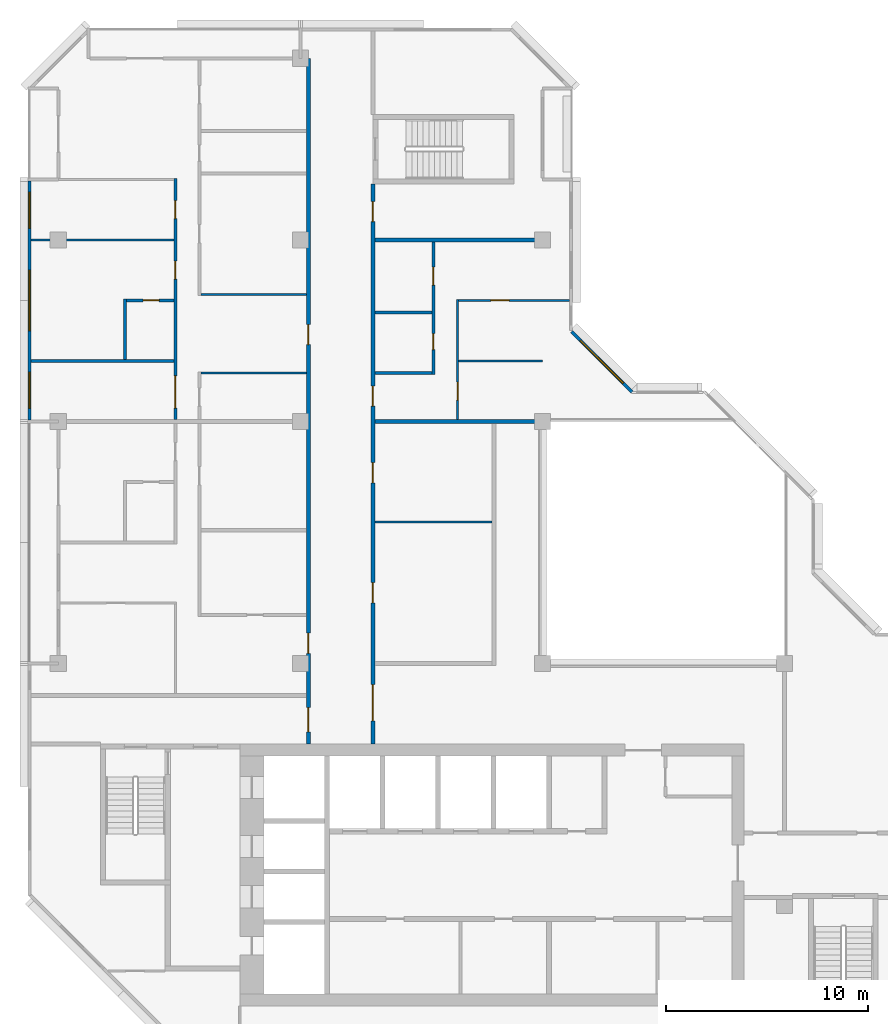
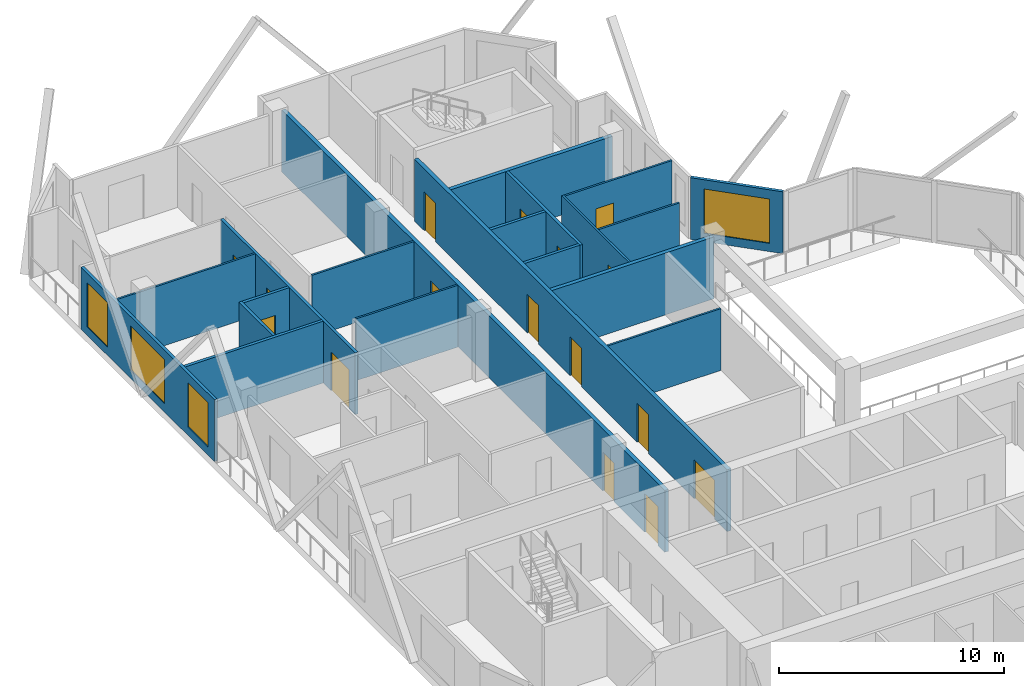
# One storey, part 9 of 13: 20 walls, 16 doors, 4 windows, 20 openings.
"""IFC4 building model written with IfcOpenShell, lengths in metres."""

from ifc_helpers import new_model, si_unit, direction, frame, frame_2d, origin, place, context, subcontext, project, spatial, rectangle, extrude, material, layer, layer_set, type_object, element, fill, save


model = new_model("IFC4")

# Units and contexts
model_context = context("Model", 3, precision=1e-05, world=origin(), true_north=direction((0.0, 1.0)))
body_context = subcontext(model_context, "Body", "Model", "MODEL_VIEW")
ifc_project = project(units=[si_unit("LENGTHUNIT", "METRE"), si_unit("AREAUNIT", "SQUARE_METRE"), si_unit("VOLUMEUNIT", "CUBIC_METRE"), si_unit("PLANEANGLEUNIT", "RADIAN"), si_unit("MASSUNIT", "GRAM", prefix="KILO")], contexts=[model_context])

# Site, building, storey
site_placement = place(None, origin())
site = spatial("IfcSite", under=ifc_project, at=site_placement, CompositionType="ELEMENT")
building_placement = place(site_placement, origin())
building = spatial("IfcBuilding", under=site, at=building_placement, Name="Chenar Terraces", CompositionType="ELEMENT")
storey_placement = place(building_placement, frame((0.0, 0.0, 303.39990234375)))
storey = spatial("IfcBuildingStorey", under=building, at=storey_placement, Name="L71", CompositionType="ELEMENT", Elevation=303.39990234375)

# Wall, openings, doors
ifc_material_1 = material(Name="Gypsum board on steel studs with fire boards", Category="steel")
ifc_layer_1 = layer(ifc_material_1, 0.199951171875)
ifc_layer_set_1 = layer_set([ifc_layer_1], Name="Gypsum board on steel studs with fire boards")
wall_type_1 = type_object("IfcWallType", Name="Corridor wall 200", PredefinedType="PARTITIONING", material=ifc_layer_set_1)
wall_1_placement = place(storey_placement, frame((12.39990234375, 20.0, 0.0), z_axis=(0.0, 0.0, 1.0), x_axis=(0.0, 1.0, 0.0)))
wall_1 = element("IfcWall", 1, at=wall_1_placement, inside=storey, type_object=wall_type_1, Name="Partition L71-031", PredefinedType="PARTITIONING", context=body_context, shape_type="SweptSolid", body=[
    extrude(rectangle(XDim=34.0, YDim=0.199951171875, at=frame_2d((17.0, 0.0))), origin(), (0.0, 0.0, 1.0), 3.35009765625),
])
opening_1_placement = place(wall_1_placement, frame((19.800048828125, 0.0, 0.0)))
opening_1 = element("IfcOpeningElement", 2, at=opening_1_placement, cuts=wall_1, Name="Opening DL71-25", PredefinedType="OPENING", context=body_context, shape_type="SweptSolid", body=[
    extrude(rectangle(XDim=1.0, YDim=2.10009765625, at=frame_2d((0.5, 1.050048828125))), frame((0.0, 0.10986328125, 0.0), z_axis=(0.0, -1.0, 0.0), x_axis=(1.0, 0.0, 0.0)), (0.0, 0.0, 1.0), 0.219970703125),
])
opening_2_placement = place(wall_1_placement, frame((0.60009765625, 0.0, 0.0)))
opening_2 = element("IfcOpeningElement", 3, at=opening_2_placement, cuts=wall_1, Name="Opening DL71-31", PredefinedType="OPENING", context=body_context, shape_type="SweptSolid", body=[
    extrude(rectangle(XDim=1.199951171875, YDim=2.10009765625, at=frame_2d((0.60009765625, 1.050048828125))), frame((0.0, 0.10986328125, 0.0), z_axis=(0.0, -1.0, 0.0), x_axis=(1.0, 0.0, 0.0)), (0.0, 0.0, 1.0), 0.219970703125),
])
opening_3_placement = place(wall_1_placement, frame((4.5, 0.0, 0.0)))
opening_3 = element("IfcOpeningElement", 4, at=opening_3_placement, cuts=wall_1, Name="Opening DL71-52", PredefinedType="OPENING", context=body_context, shape_type="SweptSolid", body=[
    extrude(rectangle(XDim=1.0, YDim=2.10009765625, at=frame_2d((0.5, 1.050048828125))), frame((0.0, 0.10986328125, 0.0), z_axis=(0.0, -1.0, 0.0), x_axis=(1.0, 0.0, 0.0)), (0.0, 0.0, 1.0), 0.219970703125),
])
ifc_material_2 = material(Name="Steel-framed fire-resisting door leaf", Category="steel")
door_type_1 = type_object("IfcDoorType", Name="Fire door FD30S 1000 x 2100", OperationType="SINGLE_SWING_LEFT", PredefinedType="DOOR", material=ifc_material_2)
door_1_placement = place(opening_1_placement, origin())
door_1 = element("IfcDoor", 5, at=door_1_placement, inside=storey, type_object=door_type_1, Name="Door DL71-25", OperationType="SINGLE_SWING_LEFT", OverallHeight=2.10009765625, OverallWidth=1.0, PredefinedType="DOOR", context=body_context, shape_type="SweptSolid", body=[
    extrude(rectangle(XDim=1.0, YDim=2.10009765625, at=frame_2d((0.5, 1.050048828125))), frame((0.0, 0.02490234375, 0.0), z_axis=(0.0, -1.0, 0.0), x_axis=(1.0, 0.0, 0.0)), (0.0, 0.0, 1.0), 0.050048828125),
])
fill(opening_1, door_1)
door_2_placement = place(opening_3_placement, origin())
door_2 = element("IfcDoor", 6, at=door_2_placement, inside=storey, type_object=door_type_1, Name="Door DL71-52", OperationType="SINGLE_SWING_LEFT", OverallHeight=2.10009765625, OverallWidth=1.0, PredefinedType="DOOR", context=body_context, shape_type="SweptSolid", body=[
    extrude(rectangle(XDim=1.0, YDim=2.10009765625, at=frame_2d((0.5, 1.050048828125))), frame((0.0, 0.02490234375, 0.0), z_axis=(0.0, -1.0, 0.0), x_axis=(1.0, 0.0, 0.0)), (0.0, 0.0, 1.0), 0.050048828125),
])
fill(opening_3, door_2)
ifc_material_3 = material(Name="Steel-framed fire-resisting door leaf", Category="steel")
door_type_2 = type_object("IfcDoorType", Name="Fire door FD30S 1200 x 2100", OperationType="SINGLE_SWING_LEFT", PredefinedType="DOOR", material=ifc_material_3)
door_3_placement = place(opening_2_placement, origin())
door_3 = element("IfcDoor", 7, at=door_3_placement, inside=storey, type_object=door_type_2, Name="Door DL71-31", OperationType="SINGLE_SWING_RIGHT", OverallHeight=2.10009765625, OverallWidth=1.199951171875, PredefinedType="DOOR", context=body_context, shape_type="SweptSolid", body=[
    extrude(rectangle(XDim=1.199951171875, YDim=2.10009765625, at=frame_2d((0.60009765625, 1.050048828125))), frame((0.0, 0.02490234375, 0.0), z_axis=(0.0, -1.0, 0.0), x_axis=(1.0, 0.0, 0.0)), (0.0, 0.0, 1.0), 0.050048828125),
])
fill(opening_2, door_3)

wall_2_placement = place(storey_placement, frame((15.60009765625, 20.0, 0.0), z_axis=(0.0, 0.0, 1.0), x_axis=(0.0, 1.0, 0.0)))
wall_2 = element("IfcWall", 8, at=wall_2_placement, inside=storey, type_object=wall_type_1, Name="Partition L71-033", PredefinedType="PARTITIONING", context=body_context, shape_type="SweptSolid", body=[
    extrude(rectangle(XDim=27.77490234375, YDim=0.199951171875, at=frame_2d((13.887451171875, 0.0))), origin(), (0.0, 0.0, 1.0), 3.35009765625),
])
opening_4_placement = place(wall_2_placement, frame((7.0, 0.0, 0.0)))
opening_4 = element("IfcOpeningElement", 9, at=opening_4_placement, cuts=wall_2, Name="Opening DL71-1", PredefinedType="OPENING", context=body_context, shape_type="SweptSolid", body=[
    extrude(rectangle(XDim=1.0, YDim=2.10009765625, at=frame_2d((0.5, 1.050048828125))), frame((0.0, 0.10986328125, 0.0), z_axis=(0.0, -1.0, 0.0), x_axis=(1.0, 0.0, 0.0)), (0.0, 0.0, 1.0), 0.219970703125),
])
opening_5_placement = place(wall_2_placement, frame((12.949951171875, 0.0, 0.0)))
opening_5 = element("IfcOpeningElement", 10, at=opening_5_placement, cuts=wall_2, Name="Opening DL71-2", PredefinedType="OPENING", context=body_context, shape_type="SweptSolid", body=[
    extrude(rectangle(XDim=1.0, YDim=2.10009765625, at=frame_2d((0.5, 1.050048828125))), frame((0.0, 0.10986328125, 0.0), z_axis=(0.0, -1.0, 0.0), x_axis=(1.0, 0.0, 0.0)), (0.0, 0.0, 1.0), 0.219970703125),
])
opening_6_placement = place(wall_2_placement, frame((16.75, 0.0, 0.0)))
opening_6 = element("IfcOpeningElement", 11, at=opening_6_placement, cuts=wall_2, Name="Opening DL71-19", PredefinedType="OPENING", context=body_context, shape_type="SweptSolid", body=[
    extrude(rectangle(XDim=1.0, YDim=2.10009765625, at=frame_2d((0.5, 1.050048828125))), frame((0.0, 0.10986328125, 0.0), z_axis=(0.0, -1.0, 0.0), x_axis=(1.0, 0.0, 0.0)), (0.0, 0.0, 1.0), 0.219970703125),
])
opening_7_placement = place(wall_2_placement, frame((1.14990234375, 0.0, 0.0)))
opening_7 = element("IfcOpeningElement", 12, at=opening_7_placement, cuts=wall_2, Name="Opening DL71-30", PredefinedType="OPENING", context=body_context, shape_type="SweptSolid", body=[
    extrude(rectangle(XDim=1.800048828125, YDim=2.10009765625, at=frame_2d((0.89990234375, 1.050048828125))), frame((0.0, 0.10986328125, 0.0), z_axis=(0.0, -1.0, 0.0), x_axis=(1.0, 0.0, 0.0)), (0.0, 0.0, 1.0), 0.219970703125),
])
opening_8_placement = place(wall_2_placement, frame((25.89990234375, 0.0, 0.0)))
opening_8 = element("IfcOpeningElement", 13, at=opening_8_placement, cuts=wall_2, Name="Opening DL71-33", PredefinedType="OPENING", context=body_context, shape_type="SweptSolid", body=[
    extrude(rectangle(XDim=1.0, YDim=2.10009765625, at=frame_2d((0.5, 1.050048828125))), frame((0.0, 0.10986328125, 0.0), z_axis=(0.0, -1.0, 0.0), x_axis=(1.0, 0.0, 0.0)), (0.0, 0.0, 1.0), 0.219970703125),
])
ifc_material_4 = material(Name="Steel-framed fire-resisting door leaf", Category="steel")
door_type_3 = type_object("IfcDoorType", Name="Fire door FD60 1000 x 2100", OperationType="SINGLE_SWING_LEFT", PredefinedType="DOOR", material=ifc_material_4)
door_4_placement = place(opening_4_placement, frame((1.0, 0.0, 0.0), z_axis=(0.0, 0.0, 1.0), x_axis=(-1.0, 0.0, 0.0)))
door_4 = element("IfcDoor", 14, at=door_4_placement, inside=storey, type_object=door_type_3, Name="Door DL71-1", OperationType="SINGLE_SWING_LEFT", OverallHeight=2.10009765625, OverallWidth=1.0, PredefinedType="DOOR", context=body_context, shape_type="SweptSolid", body=[
    extrude(rectangle(XDim=1.0, YDim=2.10009765625, at=frame_2d((0.5, 1.050048828125))), frame((0.0, 0.02490234375, 0.0), z_axis=(0.0, -1.0, 0.0), x_axis=(1.0, 0.0, 0.0)), (0.0, 0.0, 1.0), 0.050048828125),
])
fill(opening_4, door_4)
door_5_placement = place(opening_5_placement, frame((1.0, 0.0, 0.0), z_axis=(0.0, 0.0, 1.0), x_axis=(-1.0, 0.0, 0.0)))
door_5 = element("IfcDoor", 15, at=door_5_placement, inside=storey, type_object=door_type_3, Name="Door DL71-2", OperationType="SINGLE_SWING_LEFT", OverallHeight=2.10009765625, OverallWidth=1.0, PredefinedType="DOOR", context=body_context, shape_type="SweptSolid", body=[
    extrude(rectangle(XDim=1.0, YDim=2.10009765625, at=frame_2d((0.5, 1.050048828125))), frame((0.0, 0.02490234375, 0.0), z_axis=(0.0, -1.0, 0.0), x_axis=(1.0, 0.0, 0.0)), (0.0, 0.0, 1.0), 0.050048828125),
])
fill(opening_5, door_5)
door_6_placement = place(opening_6_placement, frame((1.0, 0.0, 0.0), z_axis=(0.0, 0.0, 1.0), x_axis=(-1.0, 0.0, 0.0)))
door_6 = element("IfcDoor", 16, at=door_6_placement, inside=storey, type_object=door_type_3, Name="Door DL71-19", OperationType="SINGLE_SWING_LEFT", OverallHeight=2.10009765625, OverallWidth=1.0, PredefinedType="DOOR", context=body_context, shape_type="SweptSolid", body=[
    extrude(rectangle(XDim=1.0, YDim=2.10009765625, at=frame_2d((0.5, 1.050048828125))), frame((0.0, 0.02490234375, 0.0), z_axis=(0.0, -1.0, 0.0), x_axis=(1.0, 0.0, 0.0)), (0.0, 0.0, 1.0), 0.050048828125),
])
fill(opening_6, door_6)
door_7_placement = place(opening_8_placement, frame((1.0, 0.0, 0.0), z_axis=(0.0, 0.0, 1.0), x_axis=(-1.0, 0.0, 0.0)))
door_7 = element("IfcDoor", 17, at=door_7_placement, inside=storey, type_object=door_type_3, Name="Door DL71-33", OperationType="SINGLE_SWING_RIGHT", OverallHeight=2.10009765625, OverallWidth=1.0, PredefinedType="DOOR", context=body_context, shape_type="SweptSolid", body=[
    extrude(rectangle(XDim=1.0, YDim=2.10009765625, at=frame_2d((0.5, 1.050048828125))), frame((0.0, 0.02490234375, 0.0), z_axis=(0.0, -1.0, 0.0), x_axis=(1.0, 0.0, 0.0)), (0.0, 0.0, 1.0), 0.050048828125),
])
fill(opening_8, door_7)
ifc_material_5 = material(Name="Steel-framed fire-resisting door leaf", Category="steel")
door_type_4 = type_object("IfcDoorType", Name="Fire double door FD60 1800 x 2100", OperationType="DOUBLE_DOOR_SINGLE_SWING", PredefinedType="DOOR", material=ifc_material_5)
door_8_placement = place(opening_7_placement, frame((1.800048828125, 0.0, 0.0), z_axis=(0.0, 0.0, 1.0), x_axis=(-1.0, 0.0, 0.0)))
door_8 = element("IfcDoor", 18, at=door_8_placement, inside=storey, type_object=door_type_4, Name="Door DL71-30", OperationType="DOUBLE_DOOR_SINGLE_SWING", OverallHeight=2.10009765625, OverallWidth=1.800048828125, PredefinedType="DOOR", context=body_context, shape_type="SweptSolid", body=[
    extrude(rectangle(XDim=1.800048828125, YDim=2.10009765625, at=frame_2d((0.89990234375, 1.050048828125))), frame((0.0, 0.02490234375, 0.0), z_axis=(0.0, -1.0, 0.0), x_axis=(1.0, 0.0, 0.0)), (0.0, 0.0, 1.0), 0.050048828125),
])
fill(opening_7, door_8)

# Wall, openings, windows
ifc_material_6 = material(Name="Aluminium framed glazing", Category="aluminium")
ifc_layer_2 = layer(ifc_material_6, 0.14990234375)
ifc_layer_set_2 = layer_set([ifc_layer_2], Name="Aluminium framed glazing")
wall_type_2 = type_object("IfcWallType", Name="Glazed flush facade wall 150", PredefinedType="SOLIDWALL", material=ifc_layer_set_2)
wall_3_placement = place(storey_placement, frame((-1.425048828125, 47.925048828125, 0.0), z_axis=(0.0, 0.0, 1.0), x_axis=(0.0, -1.0, 0.0)))
wall_3 = element("IfcWall", 19, at=wall_3_placement, inside=storey, type_object=wall_type_2, Name="Glazed flush facade wall", PredefinedType="SOLIDWALL", context=body_context, shape_type="SweptSolid", body=[
    extrude(rectangle(XDim=11.85009765625, YDim=0.14990234375, at=frame_2d((5.925048828125, 0.0))), origin(), (0.0, 0.0, 1.0), 3.35009765625),
])
opening_9_placement = place(wall_3_placement, frame((0.5625, 0.0, 0.449951171875)))
opening_9 = element("IfcOpeningElement", 20, at=opening_9_placement, cuts=wall_3, Name="Opening W180x240", PredefinedType="OPENING", context=body_context, shape_type="SweptSolid", body=[
    extrude(rectangle(XDim=1.800048828125, YDim=2.39990234375, at=frame_2d((0.89990234375, 1.199951171875))), frame((0.0, 0.0849609375, 0.0), z_axis=(0.0, -1.0, 0.0), x_axis=(1.0, 0.0, 0.0)), (0.0, 0.0, 1.0), 0.169921875),
])
opening_10_placement = place(wall_3_placement, frame((4.425048828125, 0.0, 0.449951171875)))
opening_10 = element("IfcOpeningElement", 21, at=opening_10_placement, cuts=wall_3, Name="Opening W300x240", PredefinedType="OPENING", context=body_context, shape_type="SweptSolid", body=[
    extrude(rectangle(XDim=3.0, YDim=2.39990234375, at=frame_2d((1.5, 1.199951171875))), frame((0.0, 0.0849609375, 0.0), z_axis=(0.0, -1.0, 0.0), x_axis=(1.0, 0.0, 0.0)), (0.0, 0.0, 1.0), 0.169921875),
])
opening_11_placement = place(wall_3_placement, frame((9.487548828125, 0.0, 0.449951171875)))
opening_11 = element("IfcOpeningElement", 22, at=opening_11_placement, cuts=wall_3, Name="Opening W180x240", PredefinedType="OPENING", context=body_context, shape_type="SweptSolid", body=[
    extrude(rectangle(XDim=1.800048828125, YDim=2.39990234375, at=frame_2d((0.89990234375, 1.199951171875))), frame((0.0, 0.0849609375, 0.0), z_axis=(0.0, -1.0, 0.0), x_axis=(1.0, 0.0, 0.0)), (0.0, 0.0, 1.0), 0.169921875),
])
ifc_material_7 = material(Name="Low emissivity double glazing, aluminium frame", Category="aluminium")
window_type_1 = type_object("IfcWindowType", Name="Fixed light 1800 x 2400", PartitioningType="SINGLE_PANEL", PredefinedType="WINDOW", material=ifc_material_7)
window_1_placement = place(opening_9_placement, origin())
window_1 = element("IfcWindow", 23, at=window_1_placement, inside=storey, type_object=window_type_1, Name="Window", OverallHeight=2.39990234375, OverallWidth=1.800048828125, PartitioningType="SINGLE_PANEL", PredefinedType="WINDOW", context=body_context, shape_type="SweptSolid", body=[
    extrude(rectangle(XDim=1.800048828125, YDim=2.39990234375, at=frame_2d((0.89990234375, 1.199951171875))), frame((0.0, 0.030029296875, 0.0), z_axis=(0.0, -1.0, 0.0), x_axis=(1.0, 0.0, 0.0)), (0.0, 0.0, 1.0), 0.06005859375),
])
fill(opening_9, window_1)
window_2_placement = place(opening_11_placement, origin())
window_2 = element("IfcWindow", 24, at=window_2_placement, inside=storey, type_object=window_type_1, Name="Window", OverallHeight=2.39990234375, OverallWidth=1.800048828125, PartitioningType="SINGLE_PANEL", PredefinedType="WINDOW", context=body_context, shape_type="SweptSolid", body=[
    extrude(rectangle(XDim=1.800048828125, YDim=2.39990234375, at=frame_2d((0.89990234375, 1.199951171875))), frame((0.0, 0.030029296875, 0.0), z_axis=(0.0, -1.0, 0.0), x_axis=(1.0, 0.0, 0.0)), (0.0, 0.0, 1.0), 0.06005859375),
])
fill(opening_11, window_2)
ifc_material_8 = material(Name="Low emissivity double glazing, aluminium frame", Category="aluminium")
window_type_2 = type_object("IfcWindowType", Name="Fixed light 3000 x 2400", PartitioningType="SINGLE_PANEL", PredefinedType="WINDOW", material=ifc_material_8)
window_3_placement = place(opening_10_placement, origin())
window_3 = element("IfcWindow", 25, at=window_3_placement, inside=storey, type_object=window_type_2, Name="Window", OverallHeight=2.39990234375, OverallWidth=3.0, PartitioningType="SINGLE_PANEL", PredefinedType="WINDOW", context=body_context, shape_type="SweptSolid", body=[
    extrude(rectangle(XDim=3.0, YDim=2.39990234375, at=frame_2d((1.5, 1.199951171875))), frame((0.0, 0.030029296875, 0.0), z_axis=(0.0, -1.0, 0.0), x_axis=(1.0, 0.0, 0.0)), (0.0, 0.0, 1.0), 0.06005859375),
])
fill(opening_10, window_3)

# Walls
ifc_material_9 = material(Name="Gypsum board on steel studs", Category="steel")
ifc_layer_3 = layer(ifc_material_9, 0.10009765625)
ifc_layer_set_3 = layer_set([ifc_layer_3], Name="Gypsum board on steel studs")
wall_type_3 = type_object("IfcWallType", Name="Gypsum partition 100", PredefinedType="PARTITIONING", material=ifc_layer_set_3)
wall_4_placement = place(storey_placement, frame((-1.35107421875, 45.0, 0.0), z_axis=(0.0, 0.0, 1.0), x_axis=(1.0, 0.0, 0.0)))
element("IfcWall", 26, at=wall_4_placement, inside=storey, type_object=wall_type_3, Name="Partition L71-002", PredefinedType="PARTITIONING", context=body_context, shape_type="SweptSolid", body=[
    extrude(rectangle(XDim=7.076171875, YDim=0.10009765625, at=frame_2d((3.5380859375, 0.0))), origin(), (0.0, 0.0, 1.0), 3.35009765625),
])
for number, where, z_axis, x_axis, name in (
    (27, (7.074951171875, 38.39990234375, 0.0), (0.0, 0.0, 1.0), (1.0, 0.0, 0.0), "Partition L71-022"),
    (28, (7.074951171875, 42.300048828125, 0.0), (0.0, 0.0, 1.0), (1.0, 0.0, 0.0), "Partition L71-023"),
):
    element("IfcWall", number, at=place(storey_placement, frame(where, z_axis=z_axis, x_axis=x_axis)), inside=storey, type_object=wall_type_3, Name=name, PredefinedType="PARTITIONING", context=body_context, shape_type="SweptSolid", body=[
        extrude(rectangle(XDim=5.22509765625, YDim=0.10009765625, at=frame_2d((2.612548828125, 0.0))), origin(), (0.0, 0.0, 1.0), 3.35009765625),
    ])
wall_5_placement = place(storey_placement, frame((15.699951171875, 31.0, 0.0), z_axis=(0.0, 0.0, 1.0), x_axis=(1.0, 0.0, 0.0)))
element("IfcWall", 29, at=wall_5_placement, inside=storey, type_object=wall_type_3, Name="Partition L71-036", PredefinedType="PARTITIONING", context=body_context, shape_type="SweptSolid", body=[
    extrude(rectangle(XDim=5.800048828125, YDim=0.10009765625, at=frame_2d((2.89990234375, 0.0))), origin(), (0.0, 0.0, 1.0), 3.35009765625),
])

# Wall, opening, door
wall_6_placement = place(storey_placement, frame((19.800048828125, 36.10009765625, 0.0), z_axis=(0.0, 0.0, 1.0), x_axis=(0.0, 1.0, 0.0)))
wall_6 = element("IfcWall", 30, at=wall_6_placement, inside=storey, type_object=wall_type_3, Name="Partition L71-043", PredefinedType="PARTITIONING", context=body_context, shape_type="SweptSolid", body=[
    extrude(rectangle(XDim=5.949951171875, YDim=0.10009765625, at=frame_2d((2.97509765625, 0.0))), origin(), (0.0, 0.0, 1.0), 3.35009765625),
])
opening_12_placement = place(wall_6_placement, frame((0.949951171875, 0.0, 0.0)))
opening_12 = element("IfcOpeningElement", 31, at=opening_12_placement, cuts=wall_6, Name="Opening DL71-16", PredefinedType="OPENING", context=body_context, shape_type="SweptSolid", body=[
    extrude(rectangle(XDim=0.89990234375, YDim=2.10009765625, at=frame_2d((0.449951171875, 1.050048828125))), frame((0.0, 0.06005859375, 0.0), z_axis=(0.0, -1.0, 0.0), x_axis=(1.0, 0.0, 0.0)), (0.0, 0.0, 1.0), 0.1201171875),
])
ifc_material_10 = material(Name="Veneered timber door leaf", Category="wood")
door_type_5 = type_object("IfcDoorType", Name="Door 900 x 2100", OperationType="SINGLE_SWING_LEFT", PredefinedType="DOOR", material=ifc_material_10)
door_9_placement = place(opening_12_placement, frame((0.89990234375, 0.0, 0.0), z_axis=(0.0, 0.0, 1.0), x_axis=(-1.0, 0.0, 0.0)))
door_9 = element("IfcDoor", 32, at=door_9_placement, inside=storey, type_object=door_type_5, Name="Door DL71-16", OperationType="SINGLE_SWING_LEFT", OverallHeight=2.10009765625, OverallWidth=0.89990234375, PredefinedType="DOOR", context=body_context, shape_type="SweptSolid", body=[
    extrude(rectangle(XDim=0.89990234375, YDim=2.10009765625, at=frame_2d((0.449951171875, 1.050048828125))), frame((0.0, 0.02490234375, 0.0), z_axis=(0.0, -1.0, 0.0), x_axis=(1.0, 0.0, 0.0)), (0.0, 0.0, 1.0), 0.050048828125),
])
fill(opening_12, door_9)

# Wall
wall_7_placement = place(storey_placement, frame((19.85009765625, 39.0, 0.0), z_axis=(0.0, 0.0, 1.0), x_axis=(1.0, 0.0, 0.0)))
element("IfcWall", 33, at=wall_7_placement, inside=storey, type_object=wall_type_3, Name="Partition L71-044", PredefinedType="PARTITIONING", context=body_context, shape_type="SweptSolid", body=[
    extrude(rectangle(XDim=4.14990234375, YDim=0.10009765625, at=frame_2d((2.074951171875, 0.0))), origin(), (0.0, 0.0, 1.0), 3.35009765625),
])

# Wall, opening, door
wall_8_placement = place(storey_placement, frame((19.85009765625, 42.0, 0.0), z_axis=(0.0, 0.0, 1.0), x_axis=(1.0, 0.0, 0.0)))
wall_8 = element("IfcWall", 34, at=wall_8_placement, inside=storey, type_object=wall_type_3, Name="Partition L71-045", PredefinedType="PARTITIONING", context=body_context, shape_type="SweptSolid", body=[
    extrude(rectangle(XDim=5.5, YDim=0.10009765625, at=frame_2d((2.75, 0.0))), origin(), (0.0, 0.0, 1.0), 3.35009765625),
])
opening_13_placement = place(wall_8_placement, frame((1.60009765625, 0.0, 0.0)))
opening_13 = element("IfcOpeningElement", 35, at=opening_13_placement, cuts=wall_8, Name="Opening DL71-17", PredefinedType="OPENING", context=body_context, shape_type="SweptSolid", body=[
    extrude(rectangle(XDim=0.89990234375, YDim=2.10009765625, at=frame_2d((0.449951171875, 1.050048828125))), frame((0.0, 0.06005859375, 0.0), z_axis=(0.0, -1.0, 0.0), x_axis=(1.0, 0.0, 0.0)), (0.0, 0.0, 1.0), 0.1201171875),
])
door_10_placement = place(opening_13_placement, frame((0.89990234375, 0.0, 0.0), z_axis=(0.0, 0.0, 1.0), x_axis=(-1.0, 0.0, 0.0)))
door_10 = element("IfcDoor", 36, at=door_10_placement, inside=storey, type_object=door_type_5, Name="Door DL71-17", OperationType="SINGLE_SWING_LEFT", OverallHeight=2.10009765625, OverallWidth=0.89990234375, PredefinedType="DOOR", context=body_context, shape_type="SweptSolid", body=[
    extrude(rectangle(XDim=0.89990234375, YDim=2.10009765625, at=frame_2d((0.449951171875, 1.050048828125))), frame((0.0, 0.02490234375, 0.0), z_axis=(0.0, -1.0, 0.0), x_axis=(1.0, 0.0, 0.0)), (0.0, 0.0, 1.0), 0.050048828125),
])
fill(opening_13, door_10)

# Wall, opening, window
ifc_material_11 = material(Name="Terracotta cladding on insulated backing", Category="masonry")
ifc_layer_4 = layer(ifc_material_11, 0.14990234375)
ifc_layer_set_4 = layer_set([ifc_layer_4], Name="Terracotta cladding on insulated backing")
wall_type_4 = type_object("IfcWallType", Name="Terracotta rainscreen wall 150", PredefinedType="SOLIDWALL", material=ifc_layer_set_4)
wall_9_placement = place(storey_placement, frame((28.447021484375, 37.447021484375, 0.0), z_axis=(0.0, 0.0, 1.0), x_axis=(-0.707106781187, 0.707106781187, 0.0)))
wall_9 = element("IfcWall", 37, at=wall_9_placement, inside=storey, type_object=wall_type_4, Name="Terracotta rainscreen wall", PredefinedType="SOLIDWALL", context=body_context, shape_type="SweptSolid", body=[
    extrude(rectangle(XDim=4.24267578125, YDim=0.14990234375, at=frame_2d((2.121337890625, 0.0))), origin(), (0.0, 0.0, 1.0), 3.35009765625),
])
opening_14_placement = place(wall_9_placement, frame((0.621337890625, 0.0, 0.449951171875)))
opening_14 = element("IfcOpeningElement", 38, at=opening_14_placement, cuts=wall_9, Name="Opening W300x240", PredefinedType="OPENING", context=body_context, shape_type="SweptSolid", body=[
    extrude(rectangle(XDim=3.0, YDim=2.39990234375, at=frame_2d((1.5, 1.199951171875))), frame((0.0, 0.0849609375, 0.0), z_axis=(0.0, -1.0, 0.0), x_axis=(1.0, 0.0, 0.0)), (0.0, 0.0, 1.0), 0.169921875),
])
window_4_placement = place(opening_14_placement, origin())
window_4 = element("IfcWindow", 39, at=window_4_placement, inside=storey, type_object=window_type_2, Name="Window", OverallHeight=2.39990234375, OverallWidth=3.0, PartitioningType="SINGLE_PANEL", PredefinedType="WINDOW", context=body_context, shape_type="SweptSolid", body=[
    extrude(rectangle(XDim=3.0, YDim=2.39990234375, at=frame_2d((1.5, 1.199951171875))), frame((0.0, 0.030029296875, 0.0), z_axis=(0.0, -1.0, 0.0), x_axis=(1.0, 0.0, 0.0)), (0.0, 0.0, 1.0), 0.06005859375),
])
fill(opening_14, window_4)

# Walls
ifc_material_12 = material(Name="Twin gypsum board on steel studs with mineral wool", Category="steel")
ifc_layer_5 = layer(ifc_material_12, 0.199951171875)
ifc_layer_set_5 = layer_set([ifc_layer_5], Name="Twin gypsum board on steel studs with mineral wool")
wall_type_5 = type_object("IfcWallType", Name="Unit demising wall 200", PredefinedType="PARTITIONING", material=ifc_layer_set_5)
for number, where, z_axis, x_axis, name in (
    (40, (15.699951171875, 36.0, 0.0), (0.0, 0.0, 1.0), (1.0, 0.0, 0.0), "Partition L71-037"),
    (41, (15.699951171875, 45.0, 0.0), (0.0, 0.0, 1.0), (1.0, 0.0, 0.0), "Partition L71-040"),
):
    element("IfcWall", number, at=place(storey_placement, frame(where, z_axis=z_axis, x_axis=x_axis)), inside=storey, type_object=wall_type_5, Name=name, PredefinedType="PARTITIONING", context=body_context, shape_type="SweptSolid", body=[
        extrude(rectangle(XDim=8.300048828125, YDim=0.199951171875, at=frame_2d((4.14990234375, 0.0))), origin(), (0.0, 0.0, 1.0), 3.35009765625),
    ])
ifc_material_13 = material(Name="Moisture-resistant gypsum board on steel studs", Category="steel")
ifc_layer_6 = layer(ifc_material_13, 0.14990234375)
ifc_layer_set_6 = layer_set([ifc_layer_6], Name="Moisture-resistant gypsum board on steel studs")
wall_type_6 = type_object("IfcWallType", Name="Wet-room partition 150", PredefinedType="PARTITIONING", material=ifc_layer_set_6)
wall_10_placement = place(storey_placement, frame((-1.35107421875, 39.0, 0.0), z_axis=(0.0, 0.0, 1.0), x_axis=(1.0, 0.0, 0.0)))
element("IfcWall", 42, at=wall_10_placement, inside=storey, type_object=wall_type_6, Name="Partition L71-001", PredefinedType="PARTITIONING", context=body_context, shape_type="SweptSolid", body=[
    extrude(rectangle(XDim=7.076171875, YDim=0.14990234375, at=frame_2d((3.5380859375, 0.0))), origin(), (0.0, 0.0, 1.0), 3.35009765625),
])
wall_11_placement = place(storey_placement, frame((3.300048828125, 39.074951171875, 0.0), z_axis=(0.0, 0.0, 1.0), x_axis=(0.0, 1.0, 0.0)))
element("IfcWall", 43, at=wall_11_placement, inside=storey, type_object=wall_type_6, Name="Partition L71-011", PredefinedType="PARTITIONING", context=body_context, shape_type="SweptSolid", body=[
    extrude(rectangle(XDim=3.0, YDim=0.14990234375, at=frame_2d((1.5, 0.0))), origin(), (0.0, 0.0, 1.0), 3.35009765625),
])

# Wall, opening, door
wall_12_placement = place(storey_placement, frame((3.375, 42.0, 0.0), z_axis=(0.0, 0.0, 1.0), x_axis=(1.0, 0.0, 0.0)))
wall_12 = element("IfcWall", 44, at=wall_12_placement, inside=storey, type_object=wall_type_6, Name="Partition L71-013", PredefinedType="PARTITIONING", context=body_context, shape_type="SweptSolid", body=[
    extrude(rectangle(XDim=2.35009765625, YDim=0.14990234375, at=frame_2d((1.175048828125, 0.0))), origin(), (0.0, 0.0, 1.0), 3.35009765625),
])
opening_15_placement = place(wall_12_placement, frame((0.824951171875, 0.0, 0.0)))
opening_15 = element("IfcOpeningElement", 45, at=opening_15_placement, cuts=wall_12, Name="Opening DL71-23", PredefinedType="OPENING", context=body_context, shape_type="SweptSolid", body=[
    extrude(rectangle(XDim=0.800048828125, YDim=2.10009765625, at=frame_2d((0.39990234375, 1.050048828125))), frame((0.0, 0.0849609375, 0.0), z_axis=(0.0, -1.0, 0.0), x_axis=(1.0, 0.0, 0.0)), (0.0, 0.0, 1.0), 0.169921875),
])
ifc_material_14 = material(Name="Veneered timber door leaf", Category="wood")
door_type_6 = type_object("IfcDoorType", Name="Door 800 x 2100", OperationType="SINGLE_SWING_LEFT", PredefinedType="DOOR", material=ifc_material_14)
door_11_placement = place(opening_15_placement, frame((0.800048828125, 0.0, 0.0), z_axis=(0.0, 0.0, 1.0), x_axis=(-1.0, 0.0, 0.0)))
door_11 = element("IfcDoor", 46, at=door_11_placement, inside=storey, type_object=door_type_6, Name="Door DL71-23", OperationType="SINGLE_SWING_LEFT", OverallHeight=2.10009765625, OverallWidth=0.800048828125, PredefinedType="DOOR", context=body_context, shape_type="SweptSolid", body=[
    extrude(rectangle(XDim=0.800048828125, YDim=2.10009765625, at=frame_2d((0.39990234375, 1.050048828125))), frame((0.0, 0.02490234375, 0.0), z_axis=(0.0, -1.0, 0.0), x_axis=(1.0, 0.0, 0.0)), (0.0, 0.0, 1.0), 0.050048828125),
])
fill(opening_15, door_11)

# Wall, openings, doors
wall_13_placement = place(storey_placement, frame((5.800048828125, 36.10009765625, 0.0), z_axis=(0.0, 0.0, 1.0), x_axis=(0.0, 1.0, 0.0)))
wall_13 = element("IfcWall", 47, at=wall_13_placement, inside=storey, type_object=wall_type_6, Name="Partition L71-016", PredefinedType="PARTITIONING", context=body_context, shape_type="SweptSolid", body=[
    extrude(rectangle(XDim=11.949951171875, YDim=0.14990234375, at=frame_2d((5.97509765625, 0.0))), origin(), (0.0, 0.0, 1.0), 3.35009765625),
])
opening_16_placement = place(wall_13_placement, frame((9.949951171875, 0.0, 0.0)))
opening_16 = element("IfcOpeningElement", 48, at=opening_16_placement, cuts=wall_13, Name="Opening DL71-21", PredefinedType="OPENING", context=body_context, shape_type="SweptSolid", body=[
    extrude(rectangle(XDim=0.89990234375, YDim=2.10009765625, at=frame_2d((0.449951171875, 1.050048828125))), frame((0.0, 0.0849609375, 0.0), z_axis=(0.0, -1.0, 0.0), x_axis=(1.0, 0.0, 0.0)), (0.0, 0.0, 1.0), 0.169921875),
])
opening_17_placement = place(wall_13_placement, frame((6.949951171875, 0.0, 0.0)))
opening_17 = element("IfcOpeningElement", 49, at=opening_17_placement, cuts=wall_13, Name="Opening DL71-22", PredefinedType="OPENING", context=body_context, shape_type="SweptSolid", body=[
    extrude(rectangle(XDim=0.89990234375, YDim=2.10009765625, at=frame_2d((0.449951171875, 1.050048828125))), frame((0.0, 0.0849609375, 0.0), z_axis=(0.0, -1.0, 0.0), x_axis=(1.0, 0.0, 0.0)), (0.0, 0.0, 1.0), 0.169921875),
])
opening_18_placement = place(wall_13_placement, frame((0.550048828125, 0.0, 0.0)))
opening_18 = element("IfcOpeningElement", 50, at=opening_18_placement, cuts=wall_13, Name="Opening DL71-26", PredefinedType="OPENING", context=body_context, shape_type="SweptSolid", body=[
    extrude(rectangle(XDim=1.60009765625, YDim=2.10009765625, at=frame_2d((0.800048828125, 1.050048828125))), frame((0.0, 0.0849609375, 0.0), z_axis=(0.0, -1.0, 0.0), x_axis=(1.0, 0.0, 0.0)), (0.0, 0.0, 1.0), 0.169921875),
])
door_12_placement = place(opening_16_placement, origin())
door_12 = element("IfcDoor", 51, at=door_12_placement, inside=storey, type_object=door_type_5, Name="Door DL71-21", OperationType="SINGLE_SWING_RIGHT", OverallHeight=2.10009765625, OverallWidth=0.89990234375, PredefinedType="DOOR", context=body_context, shape_type="SweptSolid", body=[
    extrude(rectangle(XDim=0.89990234375, YDim=2.10009765625, at=frame_2d((0.449951171875, 1.050048828125))), frame((0.0, 0.02490234375, 0.0), z_axis=(0.0, -1.0, 0.0), x_axis=(1.0, 0.0, 0.0)), (0.0, 0.0, 1.0), 0.050048828125),
])
fill(opening_16, door_12)
door_13_placement = place(opening_17_placement, origin())
door_13 = element("IfcDoor", 52, at=door_13_placement, inside=storey, type_object=door_type_5, Name="Door DL71-22", OperationType="SINGLE_SWING_RIGHT", OverallHeight=2.10009765625, OverallWidth=0.89990234375, PredefinedType="DOOR", context=body_context, shape_type="SweptSolid", body=[
    extrude(rectangle(XDim=0.89990234375, YDim=2.10009765625, at=frame_2d((0.449951171875, 1.050048828125))), frame((0.0, 0.02490234375, 0.0), z_axis=(0.0, -1.0, 0.0), x_axis=(1.0, 0.0, 0.0)), (0.0, 0.0, 1.0), 0.050048828125),
])
fill(opening_17, door_13)
ifc_material_15 = material(Name="Veneered timber door leaf", Category="wood")
door_type_7 = type_object("IfcDoorType", Name="Double door 1600 x 2100", OperationType="DOUBLE_DOOR_SINGLE_SWING", PredefinedType="DOOR", material=ifc_material_15)
door_14_placement = place(opening_18_placement, origin())
door_14 = element("IfcDoor", 53, at=door_14_placement, inside=storey, type_object=door_type_7, Name="Door DL71-26", OperationType="DOUBLE_DOOR_SINGLE_SWING", OverallHeight=2.10009765625, OverallWidth=1.60009765625, PredefinedType="DOOR", context=body_context, shape_type="SweptSolid", body=[
    extrude(rectangle(XDim=1.60009765625, YDim=2.10009765625, at=frame_2d((0.800048828125, 1.050048828125))), frame((0.0, 0.02490234375, 0.0), z_axis=(0.0, -1.0, 0.0), x_axis=(1.0, 0.0, 0.0)), (0.0, 0.0, 1.0), 0.050048828125),
])
fill(opening_18, door_14)

# Walls
for number, where, z_axis, x_axis, name in (
    (54, (15.699951171875, 38.39990234375, 0.0), (0.0, 0.0, 1.0), (1.0, 0.0, 0.0), "Partition L71-038"),
    (55, (15.699951171875, 41.39990234375, 0.0), (0.0, 0.0, 1.0), (1.0, 0.0, 0.0), "Partition L71-039"),
):
    element("IfcWall", number, at=place(storey_placement, frame(where, z_axis=z_axis, x_axis=x_axis)), inside=storey, type_object=wall_type_6, Name=name, PredefinedType="PARTITIONING", context=body_context, shape_type="SweptSolid", body=[
        extrude(rectangle(XDim=2.824951171875, YDim=0.14990234375, at=frame_2d((1.41259765625, 0.0))), origin(), (0.0, 0.0, 1.0), 3.35009765625),
    ])

# Wall, openings, doors
wall_14_placement = place(storey_placement, frame((18.60009765625, 38.324951171875, 0.0), z_axis=(0.0, 0.0, 1.0), x_axis=(0.0, 1.0, 0.0)))
wall_14 = element("IfcWall", 56, at=wall_14_placement, inside=storey, type_object=wall_type_6, Name="Partition L71-042", PredefinedType="PARTITIONING", context=body_context, shape_type="SweptSolid", body=[
    extrude(rectangle(XDim=6.574951171875, YDim=0.14990234375, at=frame_2d((3.28759765625, 0.0))), origin(), (0.0, 0.0, 1.0), 3.35009765625),
])
opening_19_placement = place(wall_14_placement, frame((1.22509765625, 0.0, 0.0)))
opening_19 = element("IfcOpeningElement", 57, at=opening_19_placement, cuts=wall_14, Name="Opening DL71-15", PredefinedType="OPENING", context=body_context, shape_type="SweptSolid", body=[
    extrude(rectangle(XDim=0.800048828125, YDim=2.10009765625, at=frame_2d((0.39990234375, 1.050048828125))), frame((0.0, 0.0849609375, 0.0), z_axis=(0.0, -1.0, 0.0), x_axis=(1.0, 0.0, 0.0)), (0.0, 0.0, 1.0), 0.169921875),
])
opening_20_placement = place(wall_14_placement, frame((4.425048828125, 0.0, 0.0)))
opening_20 = element("IfcOpeningElement", 58, at=opening_20_placement, cuts=wall_14, Name="Opening DL71-18", PredefinedType="OPENING", context=body_context, shape_type="SweptSolid", body=[
    extrude(rectangle(XDim=0.89990234375, YDim=2.10009765625, at=frame_2d((0.449951171875, 1.050048828125))), frame((0.0, 0.0849609375, 0.0), z_axis=(0.0, -1.0, 0.0), x_axis=(1.0, 0.0, 0.0)), (0.0, 0.0, 1.0), 0.169921875),
])
door_15_placement = place(opening_19_placement, origin())
door_15 = element("IfcDoor", 59, at=door_15_placement, inside=storey, type_object=door_type_6, Name="Door DL71-15", OperationType="SINGLE_SWING_RIGHT", OverallHeight=2.10009765625, OverallWidth=0.800048828125, PredefinedType="DOOR", context=body_context, shape_type="SweptSolid", body=[
    extrude(rectangle(XDim=0.800048828125, YDim=2.10009765625, at=frame_2d((0.39990234375, 1.050048828125))), frame((0.0, 0.02490234375, 0.0), z_axis=(0.0, -1.0, 0.0), x_axis=(1.0, 0.0, 0.0)), (0.0, 0.0, 1.0), 0.050048828125),
])
fill(opening_19, door_15)
door_16_placement = place(opening_20_placement, origin())
door_16 = element("IfcDoor", 60, at=door_16_placement, inside=storey, type_object=door_type_5, Name="Door DL71-18", OperationType="SINGLE_SWING_RIGHT", OverallHeight=2.10009765625, OverallWidth=0.89990234375, PredefinedType="DOOR", context=body_context, shape_type="SweptSolid", body=[
    extrude(rectangle(XDim=0.89990234375, YDim=2.10009765625, at=frame_2d((0.449951171875, 1.050048828125))), frame((0.0, 0.02490234375, 0.0), z_axis=(0.0, -1.0, 0.0), x_axis=(1.0, 0.0, 0.0)), (0.0, 0.0, 1.0), 0.050048828125),
])
fill(opening_20, door_16)

save(model, "model.ifc")
